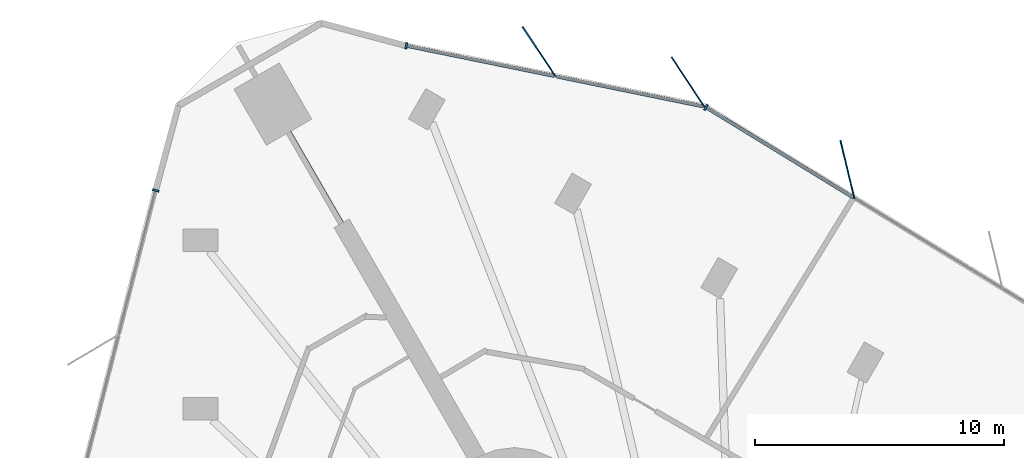
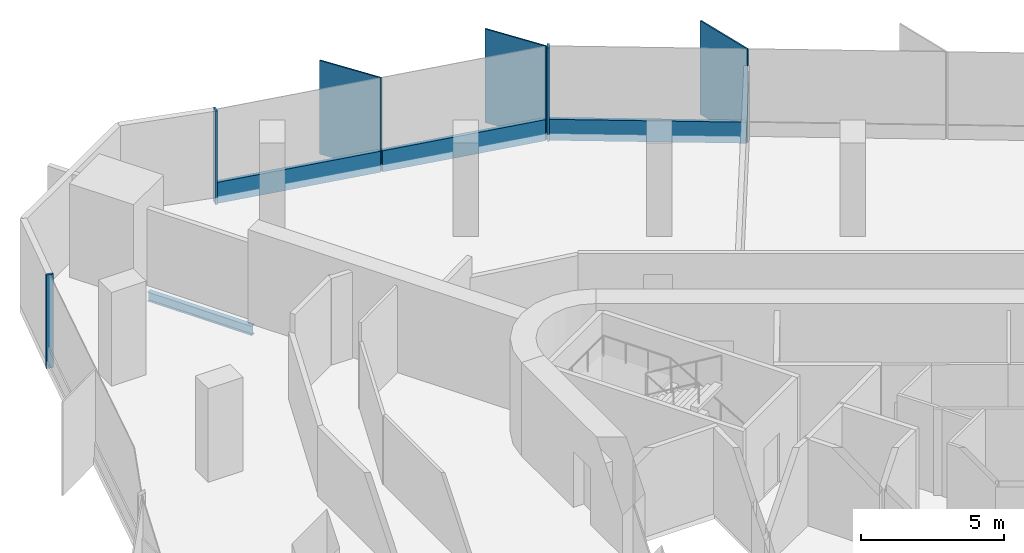
# One storey, part 6 of 14: 9 members, 1 beam, 3 elements without a shape of their own.
"""IFC4 building model written with IfcOpenShell, lengths in metres."""

from ifc_helpers import new_model, si_unit, direction, frame, origin, origin_2d, place, context, subcontext, project, spatial, rectangle, i_section, extrude, material, material_profile, profile_set, type_object, element, aggregate, save


model = new_model("IFC4")

# Units and contexts
model_context = context("Model", 3, precision=1e-05, world=origin(), true_north=direction((0.0, 1.0)))
body_context = subcontext(model_context, "Body", "Model", "MODEL_VIEW")
ifc_project = project(units=[si_unit("LENGTHUNIT", "METRE"), si_unit("AREAUNIT", "SQUARE_METRE"), si_unit("VOLUMEUNIT", "CUBIC_METRE"), si_unit("PLANEANGLEUNIT", "RADIAN"), si_unit("MASSUNIT", "GRAM", prefix="KILO")], contexts=[model_context])

# Site, building, storey
site_placement = place(None, origin())
site = spatial("IfcSite", under=ifc_project, at=site_placement, CompositionType="ELEMENT")
building_placement = place(site_placement, origin())
building = spatial("IfcBuilding", under=site, at=building_placement, Name="Tanit Gate Tower", CompositionType="ELEMENT")
storey_placement = place(building_placement, frame((0.0, 0.0, 245.199951171875)))
storey = spatial("IfcBuildingStorey", under=building, at=storey_placement, Name="L55", CompositionType="ELEMENT", Elevation=245.199951171875)

# Curtain wall, member
ifc_material_1 = material(Name="Aluminium bronze anodised and glass", Category="aluminium")
curtain_wall_type = type_object("IfcCurtainWallType", Name="Curtain wall typical mid", PredefinedType="NOTDEFINED", material=ifc_material_1)
curtain_wall_1_placement = place(storey_placement, origin())
curtain_wall_1 = element("IfcCurtainWall", 1, at=curtain_wall_1_placement, inside=storey, type_object=curtain_wall_type, Name="Curtain wall L55 NE2", PredefinedType="NOTDEFINED")
ifc_material_2 = material(Name="Aluminium bronze anodised", Category="aluminium")
ifc_material_profile_1 = material_profile(ifc_material_2, rectangle(XDim=2.39990234375, YDim=0.055908203125, at=origin_2d()), Name="56x2400 bronze fin mullion")
ifc_profile_set_1 = profile_set([ifc_material_profile_1], Name="Aluminium bronze anodised")
member_type_1 = type_object("IfcMemberType", Name="FIN MULLION 56x2400 bronze", PredefinedType="MULLION", material=ifc_profile_set_1)
member_1_placement = place(storey_placement, frame((4.259521484375, 29.914794921875, -0.300048828125), z_axis=(0.0, 0.0, 1.0), x_axis=(0.233691416098, -0.972310815553, 0.0)))
member_1 = element("IfcMember", 2, at=member_1_placement, type_object=member_type_1, Name="Fin mullion L55 NE2.5", PredefinedType="MULLION", context=body_context, shape_type="SweptSolid", body=[
    extrude(rectangle(XDim=2.39990234375, YDim=0.055908203125, at=origin_2d()), origin(), (0.0, 0.0, 1.0), 4.0),
])

# Curtain wall, members
curtain_wall_2_placement = place(storey_placement, origin())
curtain_wall_2 = element("IfcCurtainWall", 3, at=curtain_wall_2_placement, inside=storey, type_object=curtain_wall_type, Name="Curtain wall L55 NE3", PredefinedType="NOTDEFINED")
member_2_placement = place(storey_placement, frame((-2.135498046875, 33.423583984375, -0.300048828125), z_axis=(0.0, 0.0, 1.0), x_axis=(0.551315267276, -0.834296995121, 0.0)))
member_2 = element("IfcMember", 4, at=member_2_placement, type_object=member_type_1, Name="Fin mullion L55 NE3.1", PredefinedType="MULLION", context=body_context, shape_type="SweptSolid", body=[
    extrude(rectangle(XDim=2.39990234375, YDim=0.055908203125, at=origin_2d()), origin(), (0.0, 0.0, 1.0), 4.0),
])
member_3_placement = place(storey_placement, frame((-8.1083984375, 34.643310546875, -0.300048828125), z_axis=(0.0, 0.0, 1.0), x_axis=(0.551315267276, -0.834296995121, 0.0)))
member_3 = element("IfcMember", 5, at=member_3_placement, type_object=member_type_1, Name="Fin mullion L55 NE3.2", PredefinedType="MULLION", context=body_context, shape_type="SweptSolid", body=[
    extrude(rectangle(XDim=2.39990234375, YDim=0.055908203125, at=origin_2d()), origin(), (0.0, 0.0, 1.0), 4.0),
])

# Member
ifc_material_3 = material(Name="Aluminium bronze anodised", Category="aluminium")
ifc_material_profile_2 = material_profile(ifc_material_3, rectangle(XDim=0.260009765625, YDim=0.080078125, at=origin_2d()), Name="80x260 bronze mullion")
ifc_profile_set_2 = profile_set([ifc_material_profile_2], Name="Aluminium bronze anodised")
member_type_2 = type_object("IfcMemberType", Name="Mullion 80x260 typical mid", PredefinedType="MULLION", material=ifc_profile_set_2)
member_4_placement = place(storey_placement, frame((-1.412353515625, 32.4111328125, -0.300048828125), z_axis=(0.0, 0.0, 1.0), x_axis=(-0.522282786071, -0.852772356127, 0.0)))
member_4 = element("IfcMember", 6, at=member_4_placement, type_object=member_type_2, Name="Mullion L55 NE2.6", PredefinedType="MULLION", context=body_context, shape_type="SweptSolid", body=[
    extrude(rectangle(XDim=0.260009765625, YDim=0.080078125, at=origin_2d()), origin(), (0.0, 0.0, 1.0), 4.0),
])

member_5_placement = place(storey_placement, frame((-13.431640625, 34.879638671875, -0.300048828125), z_axis=(0.0, 0.0, 1.0), x_axis=(-0.200098298711, -0.979775826836, 0.0)))
member_5 = element("IfcMember", 7, at=member_5_placement, type_object=member_type_2, Name="Mullion L55 NE3.3", PredefinedType="MULLION", context=body_context, shape_type="SweptSolid", body=[
    extrude(rectangle(XDim=0.260009765625, YDim=0.080078125, at=origin_2d()), origin(), (0.0, 0.0, 1.0), 4.0),
])

# Curtain wall, member
curtain_wall_3_placement = place(storey_placement, origin())
curtain_wall_3 = element("IfcCurtainWall", 8, at=curtain_wall_3_placement, inside=storey, type_object=curtain_wall_type, Name="Curtain wall L55 W1", PredefinedType="NOTDEFINED")
member_6_placement = place(storey_placement, frame((-23.487060546875, 29.0751953125, -0.300048828125), z_axis=(0.0, 0.0, 1.0), x_axis=(0.968766723298, -0.247973861182, 0.0)))
member_6 = element("IfcMember", 9, at=member_6_placement, type_object=member_type_2, Name="Mullion L55 W1.1", PredefinedType="MULLION", context=body_context, shape_type="SweptSolid", body=[
    extrude(rectangle(XDim=0.260009765625, YDim=0.080078125, at=origin_2d()), origin(), (0.0, 0.0, 1.0), 4.0),
])
aggregate(curtain_wall_3, [member_6])

# Beam
ifc_material_4 = material(Name="Steel S355", Category="steel")
ifc_material_profile_3 = material_profile(ifc_material_4, i_section(OverallWidth=0.179931640625, OverallDepth=0.39990234375, WebThickness=0.008544921875, FlangeThickness=0.013427734375, FilletRadius=0.02099609375, at=origin_2d()), Name="IPE 400")
ifc_profile_set_3 = profile_set([ifc_material_profile_3], Name="Steel S355")
beam_type = type_object("IfcBeamType", Name="RADIAL GIRDER IPE 400 S355", PredefinedType="BEAM", material=ifc_profile_set_3)
beam_placement = place(storey_placement, frame((-18.135009765625, 31.41064453125, -0.5), z_axis=(0.500009597358, -0.866019862676, 0.0), x_axis=(0.866019862676, 0.500009597358, 0.0)))
element("IfcBeam", 10, at=beam_placement, inside=storey, type_object=beam_type, Name="RADIAL GIRDER", PredefinedType="BEAM", context=body_context, shape_type="SweptSolid", body=[
    extrude(i_section(OverallWidth=0.179931640625, OverallDepth=0.39990234375, WebThickness=0.008544921875, FlangeThickness=0.013427734375, FilletRadius=0.02099609375, at=origin_2d()), origin(), (0.0, 0.0, 1.0), 4.2197265625),
])

# Member
ifc_material_5 = material(Name="Aluminium bronze anodised", Category="aluminium")
ifc_material_profile_4 = material_profile(ifc_material_5, rectangle(XDim=0.139892578125, YDim=0.89990234375, at=origin_2d()), Name="140x900 bronze transom")
ifc_profile_set_4 = profile_set([ifc_material_profile_4], Name="Aluminium bronze anodised")
member_type_3 = type_object("IfcMemberType", Name="Transom 140x900 typical mid", PredefinedType="USERDEFINED", material=ifc_profile_set_4)
member_7_placement = place(storey_placement, frame((4.500732421875, 28.78955078125, 0.150146484375), z_axis=(-0.852770188009, 0.522286326111, 0.0), x_axis=(-0.522286326111, -0.852770188009, 0.0)))
member_7 = element("IfcMember", 11, at=member_7_placement, type_object=member_type_3, Name="Transom L55 NE2.5", ObjectType="TRANSOM", PredefinedType="USERDEFINED", context=body_context, shape_type="SweptSolid", body=[
    extrude(rectangle(XDim=0.139892578125, YDim=0.89990234375, at=origin_2d()), origin(), (0.0, 0.0, 1.0), 6.893798828125),
])

aggregate(curtain_wall_1, [member_1, member_4, member_7])

member_8_placement = place(storey_placement, frame((-1.52490234375, 32.447998046875, 0.150146484375), z_axis=(-0.979775004442, 0.200102325501, 0.0), x_axis=(-0.200102325501, -0.979775004442, 0.0)))
member_8 = element("IfcMember", 12, at=member_8_placement, type_object=member_type_3, Name="Transom L55 NE3.1", ObjectType="TRANSOM", PredefinedType="USERDEFINED", context=body_context, shape_type="SweptSolid", body=[
    extrude(rectangle(XDim=0.139892578125, YDim=0.89990234375, at=origin_2d()), origin(), (0.0, 0.0, 1.0), 6.01611328125),
])

member_9_placement = place(storey_placement, frame((-7.497802734375, 33.66796875, 0.150146484375), z_axis=(-0.979775004442, 0.200102325501, 0.0), x_axis=(-0.200102325501, -0.979775004442, 0.0)))
member_9 = element("IfcMember", 13, at=member_9_placement, type_object=member_type_3, Name="Transom L55 NE3.2", ObjectType="TRANSOM", PredefinedType="USERDEFINED", context=body_context, shape_type="SweptSolid", body=[
    extrude(rectangle(XDim=0.139892578125, YDim=0.89990234375, at=origin_2d()), origin(), (0.0, 0.0, 1.0), 6.01611328125),
])

aggregate(curtain_wall_2, [member_2, member_3, member_5, member_8, member_9])

save(model, "model.ifc")
